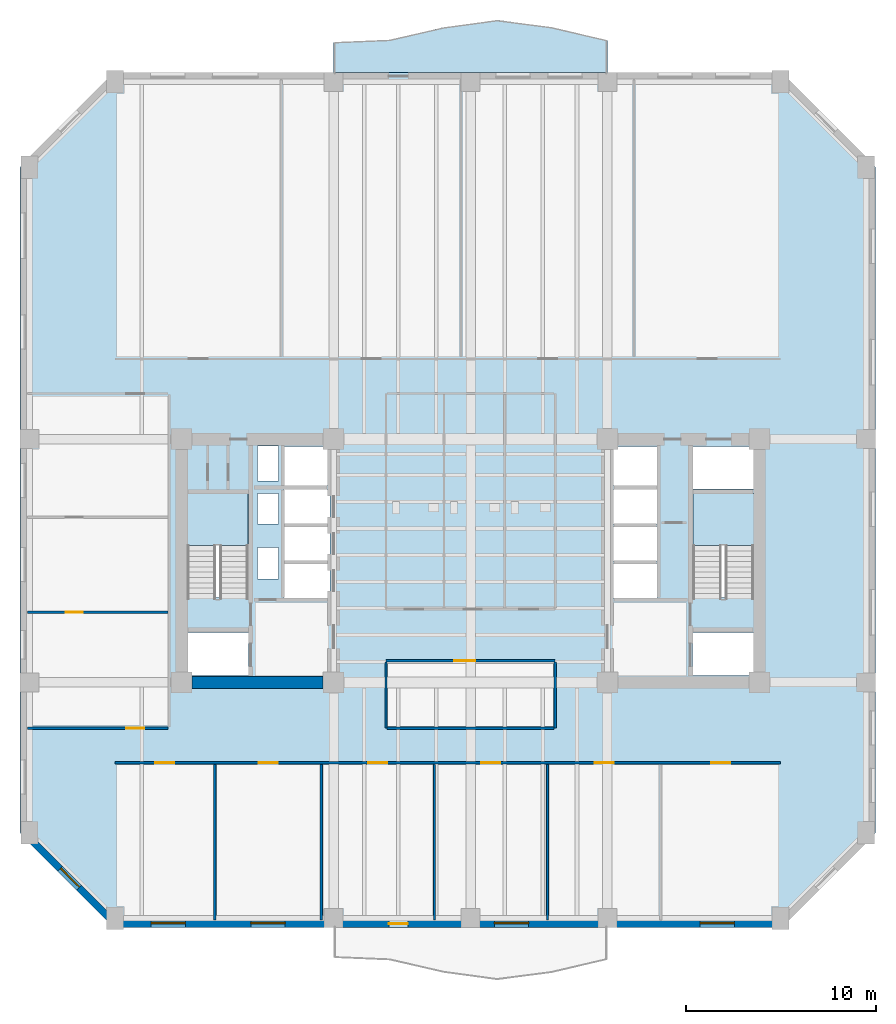
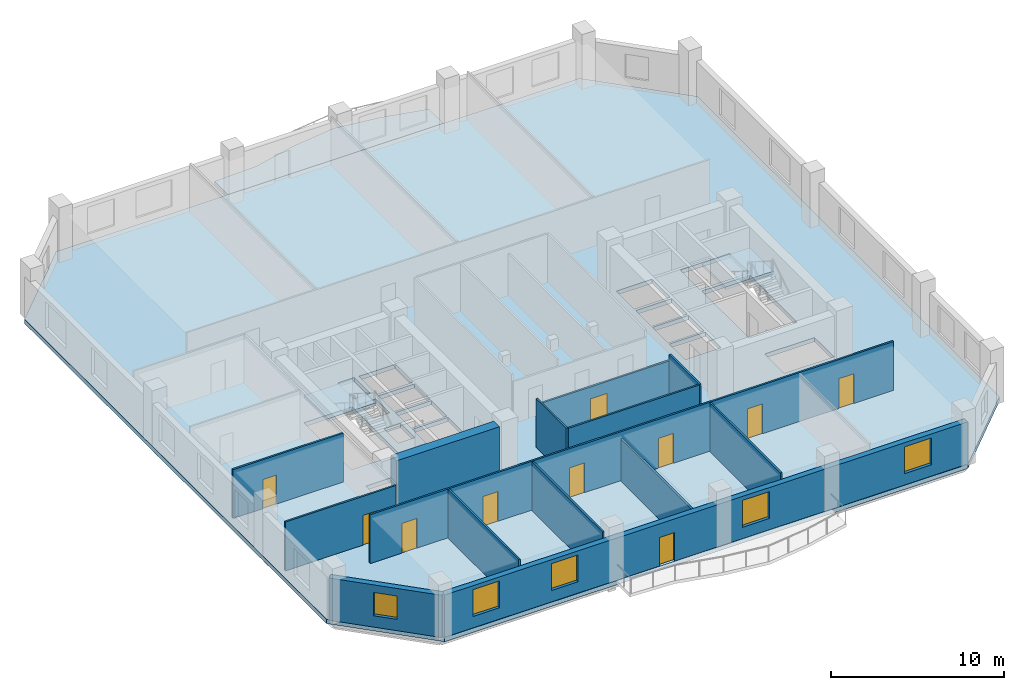
# One storey, part 2 of 10: 14 walls, 10 doors, 5 windows, 4 slabs, 15 openings, 2 elements without a shape of their own.
"""IFC4 building model written with IfcOpenShell, lengths in metres."""

import ifcopenshell
import ifcopenshell.guid

model = None  # the IFC model being written
_history = None  # IfcOwnerHistory: only IFC2X3 demands one
_inside = {}  # id of a spatial element -> (the spatial element, [elements in it])
_under = {}  # id of a project, library or spatial element -> (it, [spatial elements below it])
_declared = {}  # id of a project -> (the project, [libraries it declares])
_typed = {}  # id of a type object -> (the type object, [elements of that type])
_made_of = {}  # id of a material, layer set ... -> (it, [elements and type objects made of it])


def new_model(schema):
    """Start an empty IFC model of exactly this schema.

    Asked for "IFC4X3", IfcOpenShell would pick the latest addendum, in which some entities
    have other attributes; the version numbers below select the first issue.
    IFC2X3 requires an IfcOwnerHistory on every rooted entity: one is made here for all.
    """
    global model, _history
    if schema == "IFC4X3":
        model = ifcopenshell.file(schema_version=(4, 3, 0, 0))
    else:
        model = ifcopenshell.file(schema=schema)
    _inside.clear()
    _under.clear()
    _declared.clear()
    _typed.clear()
    _made_of.clear()
    _history = None
    if model.schema == "IFC2X3":
        org = make("IfcOrganization", Name="unknown")
        user = make(
            "IfcPersonAndOrganization",
            ThePerson=make("IfcPerson", FamilyName="unknown"),
            TheOrganization=org,
        )
        app = make(
            "IfcApplication",
            ApplicationDeveloper=org,
            Version="unknown",
            ApplicationFullName="unknown",
            ApplicationIdentifier="unknown",
        )
        _history = make(
            "IfcOwnerHistory",
            OwningUser=user,
            OwningApplication=app,
            ChangeAction="ADDED",
            CreationDate=0,
        )
    return model


def make(cls, **values):
    """One entity of the class cls with the attributes given. An attribute that is None is left unset."""
    return model.create_entity(
        cls, **{name: value for name, value in values.items() if value is not None}
    )


def rooted(cls, **values):
    """An entity with a GlobalId (a new one), such as an element, a storey or a relation."""
    return make(cls, GlobalId=ifcopenshell.guid.new(), OwnerHistory=_history, **values)


def si_unit(unit_type, name, prefix=None):
    """IfcSIUnit, for example si_unit("LENGTHUNIT", "METRE", prefix="MILLI")."""
    return make("IfcSIUnit", UnitType=unit_type, Prefix=prefix, Name=name)


def assignment(units):
    """IfcUnitAssignment: the units of a project."""
    return None if units is None else make("IfcUnitAssignment", Units=units)


def point(xyz):
    """IfcCartesianPoint."""
    return None if xyz is None else make("IfcCartesianPoint", Coordinates=xyz)


def direction(xyz):
    """IfcDirection."""
    return None if xyz is None else make("IfcDirection", DirectionRatios=xyz)


def frame(location, z_axis=None, x_axis=None):
    """IfcAxis2Placement3D, a coordinate frame: its origin and axes. An axis left out is left unset."""
    return make(
        "IfcAxis2Placement3D",
        Location=point(location),
        Axis=direction(z_axis),
        RefDirection=direction(x_axis),
    )


def frame_2d(location, x_axis=None):
    """IfcAxis2Placement2D, a coordinate frame in the plane: its origin and x axis."""
    return make(
        "IfcAxis2Placement2D", Location=point(location), RefDirection=direction(x_axis)
    )


def origin():
    """The frame at (0, 0, 0) with its axes left unset."""
    return frame((0.0, 0.0, 0.0))


def place(relative_to, where):
    """IfcLocalPlacement: puts the frame where relative to a parent placement (None: the world)."""
    return make(
        "IfcLocalPlacement", PlacementRelTo=relative_to, RelativePlacement=where
    )


def context(
    kind, dimensions, precision=None, world=None, true_north=None, identifier=None
):
    """IfcGeometricRepresentationContext, for example the 3D "Model" context."""
    return make(
        "IfcGeometricRepresentationContext",
        ContextIdentifier=identifier,
        ContextType=kind,
        CoordinateSpaceDimension=dimensions,
        Precision=precision,
        WorldCoordinateSystem=world,
        TrueNorth=true_north,
    )


def subcontext(parent, identifier, kind, view, scale=None):
    """IfcGeometricRepresentationSubContext, for example "Body" below "Model"."""
    return make(
        "IfcGeometricRepresentationSubContext",
        ContextIdentifier=identifier,
        ContextType=kind,
        ParentContext=parent,
        TargetScale=scale,
        TargetView=view,
    )


def project(units=None, contexts=None):
    """IfcProject with its units and contexts."""
    return rooted(
        "IfcProject",
        Name="project",
        RepresentationContexts=contexts,
        UnitsInContext=assignment(units),
    )


def spatial(cls, under=None, at=None, **own):
    """A site, building, storey or space (cls), placed at a placement, below another one or the project."""
    s = rooted(cls, ObjectPlacement=at, **own)
    if under is not None:
        _under.setdefault(under.id(), (under, []))[1].append(s)
    return s


def polyline(points):
    """IfcPolyline through the points."""
    return make("IfcPolyline", Points=[point(p) for p in points])


def profile(cls, at=None, kind="AREA", **sizes):
    """A parametric profile (cls). Its sizes go by their IFC names, for example OverallWidth=200.0."""
    return make(cls, ProfileType=kind, Position=at, **sizes)


def rectangle(**sizes):
    """IfcRectangleProfileDef."""
    return profile("IfcRectangleProfileDef", **sizes)


def outline(outer, holes=None, kind="AREA"):
    """IfcArbitraryClosedProfileDef: a profile drawn as a closed curve; with holes, ...WithVoids."""
    if holes is None:
        return make("IfcArbitraryClosedProfileDef", ProfileType=kind, OuterCurve=outer)
    return make(
        "IfcArbitraryProfileDefWithVoids",
        ProfileType=kind,
        OuterCurve=outer,
        InnerCurves=holes,
    )


def extrude(swept, where, along, depth):
    """IfcExtrudedAreaSolid: the profile swept, set in the frame where, extruded along a direction by depth."""
    return make(
        "IfcExtrudedAreaSolid",
        SweptArea=swept,
        Position=where,
        ExtrudedDirection=direction(along),
        Depth=depth,
    )


def shape(context_of_items, identifier, shape_type, items):
    """IfcShapeRepresentation: the items that make up one representation, for example the "Body"."""
    return make(
        "IfcShapeRepresentation",
        ContextOfItems=context_of_items,
        RepresentationIdentifier=identifier,
        RepresentationType=shape_type,
        Items=items,
    )


def material(Name=None, Category=None):
    """IfcMaterial."""
    return make("IfcMaterial", Name=Name, Category=Category)


def layer(
    of_material, thickness, ventilated=None, Name=None, Category=None, Priority=None
):
    """IfcMaterialLayer: one layer of a wall or slab, of a material (None: an air gap)."""
    return make(
        "IfcMaterialLayer",
        Material=of_material,
        LayerThickness=thickness,
        IsVentilated=ventilated,
        Name=Name,
        Category=Category,
        Priority=Priority,
    )


def layer_set(layers, Name=None):
    """IfcMaterialLayerSet."""
    return make("IfcMaterialLayerSet", MaterialLayers=layers, LayerSetName=Name)


def made_of(thing, what):
    """Note that an element or type object is made of a material, layer set ...; save() writes the relation."""
    if what is not None:
        _made_of.setdefault(what.id(), (what, []))[1].append(thing)
    return thing


def type_object(cls, material=None, **own):
    """A type object (cls), such as IfcWallType, which elements share."""
    return made_of(rooted(cls, **own), material)


def element(
    cls,
    number,
    at=None,
    inside=None,
    cuts=None,
    type_object=None,
    material=None,
    context=None,
    identifier="Body",
    shape_type=None,
    held_by="IfcProductDefinitionShape",
    body=None,
    shapes=None,
    **own,
):
    """One element of the class cls, such as IfcWall. Its Tag is "e" and its number.

    at: its placement. inside: the storey or other place that contains it. cuts: it is an
    opening in that element (IfcRelVoidsElement). A single representation is given by context,
    identifier, shape_type and body (its items); several are given by shapes. held_by: the class
    of the entity that holds the representations. save() writes the other relations.
    """
    e = rooted(cls, Tag="e%d" % number, ObjectPlacement=at, **own)
    if body is not None:
        shapes = [shape(context, identifier, shape_type, body)]
    if shapes is not None:
        e.Representation = make(held_by, Representations=shapes)
    if inside is not None:
        _inside.setdefault(inside.id(), (inside, []))[1].append(e)
    if cuts is not None:
        rooted(
            "IfcRelVoidsElement", RelatingBuildingElement=cuts, RelatedOpeningElement=e
        )
    if type_object is not None:
        _typed.setdefault(type_object.id(), (type_object, []))[1].append(e)
    return made_of(e, material)


def fill(opening, filler):
    """IfcRelFillsElement: the door or window that sits in an opening."""
    return rooted(
        "IfcRelFillsElement",
        RelatingOpeningElement=opening,
        RelatedBuildingElement=filler,
    )


def aggregate(whole, parts):
    """IfcRelAggregates: a whole, such as a stair, and the parts it consists of."""
    return rooted("IfcRelAggregates", RelatingObject=whole, RelatedObjects=parts)


def save(model, path):
    """Write the relations noted so far, then the file.

    IfcRelAggregates (storeys below a building ...), IfcRelContainedInSpatialStructure (elements
    in a storey), IfcRelDefinesByType, IfcRelAssociatesMaterial and IfcRelDeclares: one each for
    every whole, place, type object, material and project.
    """
    for whole, parts in _under.values():
        aggregate(whole, parts)
    for where, things in _inside.values():
        rooted(
            "IfcRelContainedInSpatialStructure",
            RelatedElements=things,
            RelatingStructure=where,
        )
    for kind, things in _typed.values():
        rooted("IfcRelDefinesByType", RelatedObjects=things, RelatingType=kind)
    for what, things in _made_of.values():
        rooted("IfcRelAssociatesMaterial", RelatedObjects=things, RelatingMaterial=what)
    for by, libraries in _declared.values():
        rooted("IfcRelDeclares", RelatingContext=by, RelatedDefinitions=libraries)
    model.write(path)


model = new_model("IFC4")

# Units and contexts
model_context = context("Model", 3, precision=1e-05, world=origin(), true_north=direction((0.0, 1.0)))
body_context = subcontext(model_context, "Body", "Model", "MODEL_VIEW")
ifc_project = project(units=[si_unit("LENGTHUNIT", "METRE"), si_unit("AREAUNIT", "SQUARE_METRE"), si_unit("VOLUMEUNIT", "CUBIC_METRE"), si_unit("PLANEANGLEUNIT", "RADIAN"), si_unit("MASSUNIT", "GRAM", prefix="KILO")], contexts=[model_context])

# Site, building, storey
site_placement = place(None, origin())
site = spatial("IfcSite", under=ifc_project, at=site_placement, CompositionType="ELEMENT")
building_placement = place(site_placement, origin())
building = spatial("IfcBuilding", under=site, at=building_placement, Name="Kranthara Brick Stack", CompositionType="ELEMENT")
storey_placement = place(building_placement, frame((0.0, 0.0, 106.199951171875)))
storey = spatial("IfcBuildingStorey", under=building, at=storey_placement, Name="L26", CompositionType="ELEMENT", Elevation=106.199951171875)

# Slab
ifc_material_1 = material(Name="Concrete C45/55", Category="concrete")
ifc_layer_1 = layer(ifc_material_1, 0.219970703125)
ifc_layer_set_1 = layer_set([ifc_layer_1], Name="Concrete C45/55")
slab_type_1 = type_object("IfcSlabType", Name="SLB-BALC-220", PredefinedType="FLOOR", material=ifc_layer_set_1)
slab_1_placement = place(storey_placement, frame((0.0, 0.0, -0.219970703125)))
element("IfcSlab", 1, at=slab_1_placement, inside=storey, type_object=slab_type_1, Name="L26 North Rippling Balcony Slab", PredefinedType="FLOOR", context=body_context, shape_type="SweptSolid", body=[
    extrude(outline(polyline([(35.199951171875, 52.89990234375), (20.800048828125, 52.89990234375), (20.800048828125, 54.4541015625), (23.679931640625, 54.576904296875), (26.56005859375, 55.263427734375), (29.43994140625, 55.64990234375), (32.320068359375, 55.25048828125), (35.199951171875, 54.567626953125), (35.199951171875, 52.89990234375)])), origin(), (0.0, 0.0, 1.0), 0.219970703125),
])

# Stair, slab
ifc_material_2 = material(Name="Concrete C45/55", Category="concrete")
stair_type = type_object("IfcStairType", Name="ST-CORE-22R", PredefinedType="HALF_TURN_STAIR", material=ifc_material_2)
stair_1_placement = place(storey_placement, origin())
stair_1 = element("IfcStair", 2, at=stair_1_placement, inside=storey, type_object=stair_type, Name="L26 West Core Protected Exit Stair ST01", PredefinedType="HALF_TURN_STAIR")
ifc_material_3 = material(Name="Concrete C45/55", Category="concrete")
ifc_layer_2 = layer(ifc_material_3, 0.199951171875)
ifc_layer_set_2 = layer_set([ifc_layer_2], Name="Concrete C45/55")
slab_type_2 = type_object("IfcSlabType", Name="SLB-LANDING-200", PredefinedType="LANDING", material=ifc_layer_set_2)
slab_2_placement = place(storey_placement, frame((0.0, 0.0, 1.75)))
slab_2 = element("IfcSlab", 3, at=slab_2_placement, type_object=slab_type_2, Name="ST01 landing 1", PredefinedType="LANDING", context=body_context, shape_type="SweptSolid", body=[
    extrude(outline(polyline([(16.300048828125, 28.0), (16.300048828125, 30.75), (13.10009765625, 30.75), (13.10009765625, 28.0), (16.300048828125, 28.0)])), origin(), (0.0, 0.0, 1.0), 0.199951171875),
])
aggregate(stair_1, [slab_2])

stair_2_placement = place(storey_placement, origin())
stair_2 = element("IfcStair", 4, at=stair_2_placement, inside=storey, type_object=stair_type, Name="L26 East Core Protected Exit Stair ST02", PredefinedType="HALF_TURN_STAIR")
slab_3_placement = place(storey_placement, frame((0.0, 0.0, 1.75)))
slab_3 = element("IfcSlab", 5, at=slab_3_placement, type_object=slab_type_2, Name="ST02 landing 1", PredefinedType="LANDING", context=body_context, shape_type="SweptSolid", body=[
    extrude(outline(polyline([(42.89990234375, 28.0), (42.89990234375, 30.75), (39.699951171875, 30.75), (39.699951171875, 28.0), (42.89990234375, 28.0)])), origin(), (0.0, 0.0, 1.0), 0.199951171875),
])
aggregate(stair_2, [slab_3])

# Slab
ifc_material_4 = material(Name="Post-tensioned concrete C45/55", Category="concrete")
ifc_layer_3 = layer(ifc_material_4, 0.300048828125)
ifc_layer_set_3 = layer_set([ifc_layer_3], Name="Post-tensioned concrete C45/55")
slab_type_3 = type_object("IfcSlabType", Name="SLB-TWR-300", PredefinedType="FLOOR", material=ifc_layer_set_3)
slab_4_placement = place(storey_placement, frame((0.0, 0.0, -0.300048828125)))
element("IfcSlab", 6, at=slab_4_placement, inside=storey, type_object=slab_type_3, Name="L26 Structural Floor Plate", PredefinedType="FLOOR", context=body_context, shape_type="SweptSolid", body=[
    extrude(outline(polyline([(9.300048828125, 7.89990234375), (44.300048828125, 7.89990234375), (49.300048828125, 12.89990234375), (49.300048828125, 47.89990234375), (44.300048828125, 52.89990234375), (9.300048828125, 52.89990234375), (4.300048828125, 47.89990234375), (4.300048828125, 12.89990234375), (9.300048828125, 7.89990234375)]), holes=[polyline([(13.10009765625, 25.280029296875), (16.300048828125, 25.280029296875), (16.300048828125, 30.75), (13.10009765625, 30.75), (13.10009765625, 25.280029296875)]), polyline([(39.699951171875, 25.280029296875), (42.89990234375, 25.280029296875), (42.89990234375, 30.75), (39.699951171875, 30.75), (39.699951171875, 25.280029296875)]), polyline([(13.0, 21.179931640625), (16.320068359375, 21.179931640625), (16.320068359375, 23.419921875), (13.0, 23.419921875), (13.0, 21.179931640625)]), polyline([(39.679931640625, 21.179931640625), (43.0, 21.179931640625), (43.0, 23.419921875), (39.679931640625, 23.419921875), (39.679931640625, 21.179931640625)]), polyline([(39.679931640625, 30.97998046875), (43.0, 30.97998046875), (43.0, 33.219970703125), (39.679931640625, 33.219970703125), (39.679931640625, 30.97998046875)]), polyline([(18.199951171875, 25.25), (20.60009765625, 25.25), (20.60009765625, 27.050048828125), (18.199951171875, 27.050048828125), (18.199951171875, 25.25)]), polyline([(18.199951171875, 27.199951171875), (20.60009765625, 27.199951171875), (20.60009765625, 29.0), (18.199951171875, 29.0), (18.199951171875, 27.199951171875)]), polyline([(18.199951171875, 29.14990234375), (20.60009765625, 29.14990234375), (20.60009765625, 30.949951171875), (18.199951171875, 30.949951171875), (18.199951171875, 29.14990234375)]), polyline([(35.39990234375, 25.25), (37.800048828125, 25.25), (37.800048828125, 27.050048828125), (35.39990234375, 27.050048828125), (35.39990234375, 25.25)]), polyline([(35.39990234375, 27.199951171875), (37.800048828125, 27.199951171875), (37.800048828125, 29.0), (35.39990234375, 29.0), (35.39990234375, 27.199951171875)]), polyline([(35.39990234375, 29.14990234375), (37.800048828125, 29.14990234375), (37.800048828125, 30.949951171875), (35.39990234375, 30.949951171875), (35.39990234375, 29.14990234375)]), polyline([(18.199951171875, 31.14990234375), (20.60009765625, 31.14990234375), (20.60009765625, 33.219970703125), (18.199951171875, 33.219970703125), (18.199951171875, 31.14990234375)]), polyline([(35.39990234375, 31.14990234375), (37.800048828125, 31.14990234375), (37.800048828125, 33.219970703125), (35.39990234375, 33.219970703125), (35.39990234375, 31.14990234375)]), polyline([(16.800048828125, 26.25), (17.89990234375, 26.25), (17.89990234375, 27.89990234375), (16.800048828125, 27.89990234375), (16.800048828125, 26.25)]), polyline([(16.800048828125, 29.14990234375), (17.89990234375, 29.14990234375), (17.89990234375, 30.75), (16.800048828125, 30.75), (16.800048828125, 29.14990234375)]), polyline([(16.800048828125, 31.39990234375), (17.89990234375, 31.39990234375), (17.89990234375, 33.25), (16.800048828125, 33.25), (16.800048828125, 31.39990234375)])]), origin(), (0.0, 0.0, 1.0), 0.300048828125),
])

# Wall, openings, door, windows
ifc_material_5 = material(Name="Kiln-fired clay brick masonry M15", Category="masonry")
ifc_layer_4 = layer(ifc_material_5, 0.3798828125)
ifc_layer_set_4 = layer_set([ifc_layer_4], Name="Kiln-fired clay brick masonry M15")
wall_type_1 = type_object("IfcWallType", Name="WL-BRK-PIER-380", PredefinedType="STANDARD", material=ifc_layer_set_4)
wall_1_placement = place(storey_placement, frame((44.300048828125, 8.110107421875, 0.0), z_axis=(0.0, 0.0, 1.0), x_axis=(-1.0, 0.0, 0.0)))
wall_1 = element("IfcWall", 7, at=wall_1_placement, inside=storey, type_object=wall_type_1, Name="L26 Exterior Brick Facade Wall SOUTH 1", PredefinedType="STANDARD", context=body_context, shape_type="SweptSolid", body=[
    extrude(rectangle(XDim=35.0, YDim=0.3798828125, at=frame_2d((17.5, 0.0))), origin(), (0.0, 0.0, 1.0), 2.985107421875),
])
opening_1_placement = place(wall_1_placement, frame((19.60009765625, 0.0, 0.0)))
opening_1 = element("IfcOpeningElement", 8, at=opening_1_placement, cuts=wall_1, Name="Opening D03", PredefinedType="OPENING", context=body_context, shape_type="SweptSolid", body=[
    extrude(rectangle(XDim=1.0, YDim=2.02001953125, at=frame_2d((0.5, 1.010009765625))), frame((0.0, 0.199951171875, 0.0), z_axis=(0.0, -1.0, 0.0), x_axis=(1.0, 0.0, 0.0)), (0.0, 0.0, 1.0), 0.39990234375),
])
opening_2_placement = place(wall_1_placement, frame((2.425048828125, 0.0, 0.800048828125)))
opening_2 = element("IfcOpeningElement", 9, at=opening_2_placement, cuts=wall_1, Name="Opening WN01", PredefinedType="OPENING", context=body_context, shape_type="SweptSolid", body=[
    extrude(rectangle(XDim=1.800048828125, YDim=1.89990234375, at=frame_2d((0.89990234375, 0.949951171875))), frame((0.0, 0.199951171875, 0.0), z_axis=(0.0, -1.0, 0.0), x_axis=(1.0, 0.0, 0.0)), (0.0, 0.0, 1.0), 0.39990234375),
])
opening_3_placement = place(wall_1_placement, frame((13.25, 0.0, 0.800048828125)))
opening_3 = element("IfcOpeningElement", 10, at=opening_3_placement, cuts=wall_1, Name="Opening WN01", PredefinedType="OPENING", context=body_context, shape_type="SweptSolid", body=[
    extrude(rectangle(XDim=1.800048828125, YDim=1.89990234375, at=frame_2d((0.89990234375, 0.949951171875))), frame((0.0, 0.199951171875, 0.0), z_axis=(0.0, -1.0, 0.0), x_axis=(1.0, 0.0, 0.0)), (0.0, 0.0, 1.0), 0.39990234375),
])
opening_4_placement = place(wall_1_placement, frame((26.050048828125, 0.0, 0.800048828125)))
opening_4 = element("IfcOpeningElement", 11, at=opening_4_placement, cuts=wall_1, Name="Opening WN01", PredefinedType="OPENING", context=body_context, shape_type="SweptSolid", body=[
    extrude(rectangle(XDim=1.800048828125, YDim=1.89990234375, at=frame_2d((0.89990234375, 0.949951171875))), frame((0.0, 0.199951171875, 0.0), z_axis=(0.0, -1.0, 0.0), x_axis=(1.0, 0.0, 0.0)), (0.0, 0.0, 1.0), 0.39990234375),
])
opening_5_placement = place(wall_1_placement, frame((31.300048828125, 0.0, 0.800048828125)))
opening_5 = element("IfcOpeningElement", 12, at=opening_5_placement, cuts=wall_1, Name="Opening WN01", PredefinedType="OPENING", context=body_context, shape_type="SweptSolid", body=[
    extrude(rectangle(XDim=1.800048828125, YDim=1.89990234375, at=frame_2d((0.89990234375, 0.949951171875))), frame((0.0, 0.199951171875, 0.0), z_axis=(0.0, -1.0, 0.0), x_axis=(1.0, 0.0, 0.0)), (0.0, 0.0, 1.0), 0.39990234375),
])
ifc_material_6 = material(Name="Bronze anodised aluminium and laminated glass", Category="aluminium")
door_type_1 = type_object("IfcDoorType", Name="DR-BALC-1000", OperationType="NOTDEFINED", PredefinedType="DOOR", material=ifc_material_6)
door_1_placement = place(opening_1_placement, origin())
door_1 = element("IfcDoor", 13, at=door_1_placement, inside=storey, type_object=door_type_1, Name="L26 South Balcony Terrace Door", OperationType="SINGLE_SWING_LEFT", OverallHeight=2.02001953125, OverallWidth=1.0, PredefinedType="DOOR", context=body_context, shape_type="SweptSolid", body=[
    extrude(rectangle(XDim=1.0, YDim=2.02001953125, at=frame_2d((0.5, 1.010009765625))), frame((0.0, 0.02490234375, 0.0), z_axis=(0.0, -1.0, 0.0), x_axis=(1.0, 0.0, 0.0)), (0.0, 0.0, 1.0), 0.050048828125),
])
fill(opening_1, door_1)
ifc_material_7 = material(Name="Double-glazed low-E solar control glass", Category="glass")
window_type_1 = type_object("IfcWindowType", Name="WN-OFF-1800x2000", PartitioningType="SINGLE_PANEL", PredefinedType="WINDOW", material=ifc_material_7)
window_1_placement = place(opening_2_placement, origin())
window_1 = element("IfcWindow", 14, at=window_1_placement, inside=storey, type_object=window_type_1, Name="L26 South Deep-Set Brick Window 01", OverallHeight=1.89990234375, OverallWidth=1.800048828125, PartitioningType="SINGLE_PANEL", PredefinedType="WINDOW", context=body_context, shape_type="SweptSolid", body=[
    extrude(rectangle(XDim=1.800048828125, YDim=1.89990234375, at=frame_2d((0.89990234375, 0.949951171875))), frame((0.0, -0.010009765625, 0.0), z_axis=(0.0, -1.0, 0.0), x_axis=(1.0, 0.0, 0.0)), (0.0, 0.0, 1.0), 0.06005859375),
])
fill(opening_2, window_1)
window_2_placement = place(opening_3_placement, origin())
window_2 = element("IfcWindow", 15, at=window_2_placement, inside=storey, type_object=window_type_1, Name="L26 South Deep-Set Brick Window 02", OverallHeight=1.89990234375, OverallWidth=1.800048828125, PartitioningType="SINGLE_PANEL", PredefinedType="WINDOW", context=body_context, shape_type="SweptSolid", body=[
    extrude(rectangle(XDim=1.800048828125, YDim=1.89990234375, at=frame_2d((0.89990234375, 0.949951171875))), frame((0.0, -0.010009765625, 0.0), z_axis=(0.0, -1.0, 0.0), x_axis=(1.0, 0.0, 0.0)), (0.0, 0.0, 1.0), 0.06005859375),
])
fill(opening_3, window_2)
window_3_placement = place(opening_4_placement, origin())
window_3 = element("IfcWindow", 16, at=window_3_placement, inside=storey, type_object=window_type_1, Name="L26 South Deep-Set Brick Window 03", OverallHeight=1.89990234375, OverallWidth=1.800048828125, PartitioningType="SINGLE_PANEL", PredefinedType="WINDOW", context=body_context, shape_type="SweptSolid", body=[
    extrude(rectangle(XDim=1.800048828125, YDim=1.89990234375, at=frame_2d((0.89990234375, 0.949951171875))), frame((0.0, -0.010009765625, 0.0), z_axis=(0.0, -1.0, 0.0), x_axis=(1.0, 0.0, 0.0)), (0.0, 0.0, 1.0), 0.06005859375),
])
fill(opening_4, window_3)
window_4_placement = place(opening_5_placement, origin())
window_4 = element("IfcWindow", 17, at=window_4_placement, inside=storey, type_object=window_type_1, Name="L26 South Deep-Set Brick Window 04", OverallHeight=1.89990234375, OverallWidth=1.800048828125, PartitioningType="SINGLE_PANEL", PredefinedType="WINDOW", context=body_context, shape_type="SweptSolid", body=[
    extrude(rectangle(XDim=1.800048828125, YDim=1.89990234375, at=frame_2d((0.89990234375, 0.949951171875))), frame((0.0, -0.010009765625, 0.0), z_axis=(0.0, -1.0, 0.0), x_axis=(1.0, 0.0, 0.0)), (0.0, 0.0, 1.0), 0.06005859375),
])
fill(opening_5, window_4)

# Wall, opening, window
wall_2_placement = place(storey_placement, frame((9.300048828125, 8.110107421875, 0.0), z_axis=(0.0, 0.0, 1.0), x_axis=(-0.707124801467, 0.707088760447, 0.0)))
wall_2 = element("IfcWall", 18, at=wall_2_placement, inside=storey, type_object=wall_type_1, Name="L26 Exterior Brick Facade Wall SW 1", PredefinedType="STANDARD", context=body_context, shape_type="SweptSolid", body=[
    extrude(rectangle(XDim=6.77392578125, YDim=0.3798828125, at=frame_2d((3.386962890625, 0.0))), origin(), (0.0, 0.0, 1.0), 2.985107421875),
])
opening_6_placement = place(wall_2_placement, frame((2.68701171875, 0.0, 0.800048828125)))
opening_6 = element("IfcOpeningElement", 19, at=opening_6_placement, cuts=wall_2, Name="Opening WN10", PredefinedType="OPENING", context=body_context, shape_type="SweptSolid", body=[
    extrude(rectangle(XDim=1.39990234375, YDim=1.64990234375, at=frame_2d((0.699951171875, 0.824951171875))), frame((0.0, 0.199951171875, 0.0), z_axis=(0.0, -1.0, 0.0), x_axis=(1.0, 0.0, 0.0)), (0.0, 0.0, 1.0), 0.39990234375),
])
ifc_material_8 = material(Name="Double-glazed low-E solar control glass", Category="glass")
window_type_2 = type_object("IfcWindowType", Name="WN-CHM-1400x1750", PartitioningType="SINGLE_PANEL", PredefinedType="WINDOW", material=ifc_material_8)
window_5_placement = place(opening_6_placement, origin())
window_5 = element("IfcWindow", 20, at=window_5_placement, inside=storey, type_object=window_type_2, Name="L26 SW Chamfer Corner Window", OverallHeight=1.64990234375, OverallWidth=1.39990234375, PartitioningType="SINGLE_PANEL", PredefinedType="WINDOW", context=body_context, shape_type="SweptSolid", body=[
    extrude(rectangle(XDim=1.39990234375, YDim=1.64990234375, at=frame_2d((0.699951171875, 0.824951171875))), frame((0.0, -0.010009765625, 0.0), z_axis=(0.0, -1.0, 0.0), x_axis=(1.0, 0.0, 0.0)), (0.0, 0.0, 1.0), 0.06005859375),
])
fill(opening_6, window_5)

# Wall
ifc_material_9 = material(Name="Concrete C60/75", Category="concrete")
ifc_layer_5 = layer(ifc_material_9, 0.64990234375)
ifc_layer_set_5 = layer_set([ifc_layer_5], Name="Concrete C60/75")
wall_type_2 = type_object("IfcWallType", Name="WL-CORE-650", PredefinedType="SHEAR", material=ifc_layer_set_5)
wall_3_placement = place(storey_placement, frame((13.35498046875, 20.800048828125, 0.0), z_axis=(0.0, 0.0, 1.0), x_axis=(1.0, 0.0, 0.0)))
element("IfcWall", 21, at=wall_3_placement, inside=storey, type_object=wall_type_2, Name="L26 West Core Shear Wall South", PredefinedType="SHEAR", context=body_context, shape_type="SweptSolid", body=[
    extrude(rectangle(XDim=6.89013671875, YDim=0.64990234375, at=frame_2d((3.445068359375, 0.0))), origin(), (0.0, 0.0, 1.0), 3.449951171875),
])

# Wall, opening, door
ifc_material_10 = material(Name="Acoustic gypsum plasterboard partition", Category="other")
ifc_layer_6 = layer(ifc_material_10, 0.1201171875)
ifc_layer_set_6 = layer_set([ifc_layer_6], Name="Acoustic gypsum plasterboard partition")
wall_type_3 = type_object("IfcWallType", Name="WL-PART-120", PredefinedType="PARTITIONING", material=ifc_layer_set_6)
wall_4_placement = place(storey_placement, frame((23.550048828125, 21.949951171875, 0.0), z_axis=(0.0, 0.0, 1.0), x_axis=(1.0, 0.0, 0.0)))
wall_4 = element("IfcWall", 22, at=wall_4_placement, inside=storey, type_object=wall_type_3, Name="L26 Interior Partition 010", PredefinedType="PARTITIONING", context=body_context, shape_type="SweptSolid", body=[
    extrude(rectangle(XDim=8.89990234375, YDim=0.1201171875, at=frame_2d((4.449951171875, 0.0))), origin(), (0.0, 0.0, 1.0), 2.985107421875),
])
opening_7_placement = place(wall_4_placement, frame((3.60009765625, 0.0, 0.0)))
opening_7 = element("IfcOpeningElement", 23, at=opening_7_placement, cuts=wall_4, Name="Opening D11", PredefinedType="OPENING", context=body_context, shape_type="SweptSolid", body=[
    extrude(rectangle(XDim=1.10009765625, YDim=2.14990234375, at=frame_2d((0.550048828125, 1.074951171875))), frame((0.0, 0.070068359375, 0.0), z_axis=(0.0, -1.0, 0.0), x_axis=(1.0, 0.0, 0.0)), (0.0, 0.0, 1.0), 0.14013671875),
])
ifc_material_11 = material(Name="Solid-core hardwood timber leaf in steel frame", Category="steel")
door_type_2 = type_object("IfcDoorType", Name="DR-INT-1100", OperationType="NOTDEFINED", PredefinedType="DOOR", material=ifc_material_11)
door_2_placement = place(opening_7_placement, origin())
door_2 = element("IfcDoor", 24, at=door_2_placement, inside=storey, type_object=door_type_2, Name="L26 Internal Briefing Room 07", OperationType="SINGLE_SWING_LEFT", OverallHeight=2.14990234375, OverallWidth=1.10009765625, PredefinedType="DOOR", context=body_context, shape_type="SweptSolid", body=[
    extrude(rectangle(XDim=1.10009765625, YDim=2.14990234375, at=frame_2d((0.550048828125, 1.074951171875))), frame((0.0, 0.02490234375, 0.0), z_axis=(0.0, -1.0, 0.0), x_axis=(1.0, 0.0, 0.0)), (0.0, 0.0, 1.0), 0.050048828125),
])
fill(opening_7, door_2)

# Walls
for number, where, z_axis, x_axis, name in (
    (25, (23.550048828125, 18.39990234375, 0.0), (0.0, 0.0, 1.0), (0.0, 1.0, 0.0), "L26 Interior Partition 011"),
    (26, (32.449951171875, 18.39990234375, 0.0), (0.0, 0.0, 1.0), (0.0, 1.0, 0.0), "L26 Interior Partition 012"),
):
    element("IfcWall", number, at=place(storey_placement, frame(where, z_axis=z_axis, x_axis=x_axis)), inside=storey, type_object=wall_type_3, Name=name, PredefinedType="PARTITIONING", context=body_context, shape_type="SweptSolid", body=[
        extrude(rectangle(XDim=3.485107421875, YDim=0.1201171875, at=frame_2d((1.74267578125, 0.0))), origin(), (0.0, 0.0, 1.0), 3.449951171875),
    ])
wall_5_placement = place(storey_placement, frame((23.614990234375, 18.39990234375, 0.0), z_axis=(0.0, 0.0, 1.0), x_axis=(1.0, 0.0, 0.0)))
element("IfcWall", 27, at=wall_5_placement, inside=storey, type_object=wall_type_3, Name="L26 Interior Partition 013", PredefinedType="PARTITIONING", context=body_context, shape_type="SweptSolid", body=[
    extrude(rectangle(XDim=8.77001953125, YDim=0.1201171875, at=frame_2d((4.385009765625, 0.0))), origin(), (0.0, 0.0, 1.0), 3.449951171875),
])

# Wall, openings, doors
wall_6_placement = place(storey_placement, frame((9.300048828125, 16.580078125, 0.0), z_axis=(0.0, 0.0, 1.0), x_axis=(1.0, 0.0, 0.0)))
wall_6 = element("IfcWall", 28, at=wall_6_placement, inside=storey, type_object=wall_type_3, Name="L26 Interior Partition 014", PredefinedType="PARTITIONING", context=body_context, shape_type="SweptSolid", body=[
    extrude(rectangle(XDim=35.0, YDim=0.1201171875, at=frame_2d((17.5, 0.0))), origin(), (0.0, 0.0, 1.0), 3.449951171875),
])
opening_8_placement = place(wall_6_placement, frame((2.125, 0.0, 0.0)))
opening_8 = element("IfcOpeningElement", 29, at=opening_8_placement, cuts=wall_6, Name="Opening D13", PredefinedType="OPENING", context=body_context, shape_type="SweptSolid", body=[
    extrude(rectangle(XDim=1.0, YDim=2.10009765625, at=frame_2d((0.5, 1.050048828125))), frame((0.0, 0.070068359375, 0.0), z_axis=(0.0, -1.0, 0.0), x_axis=(1.0, 0.0, 0.0)), (0.0, 0.0, 1.0), 0.14013671875),
])
opening_9_placement = place(wall_6_placement, frame((7.550048828125, 0.0, 0.0)))
opening_9 = element("IfcOpeningElement", 30, at=opening_9_placement, cuts=wall_6, Name="Opening D13", PredefinedType="OPENING", context=body_context, shape_type="SweptSolid", body=[
    extrude(rectangle(XDim=1.0, YDim=2.10009765625, at=frame_2d((0.5, 1.050048828125))), frame((0.0, 0.070068359375, 0.0), z_axis=(0.0, -1.0, 0.0), x_axis=(1.0, 0.0, 0.0)), (0.0, 0.0, 1.0), 0.14013671875),
])
opening_10_placement = place(wall_6_placement, frame((13.324951171875, 0.0, 0.0)))
opening_10 = element("IfcOpeningElement", 31, at=opening_10_placement, cuts=wall_6, Name="Opening D13", PredefinedType="OPENING", context=body_context, shape_type="SweptSolid", body=[
    extrude(rectangle(XDim=1.0, YDim=2.10009765625, at=frame_2d((0.5, 1.050048828125))), frame((0.0, 0.070068359375, 0.0), z_axis=(0.0, -1.0, 0.0), x_axis=(1.0, 0.0, 0.0)), (0.0, 0.0, 1.0), 0.14013671875),
])
opening_11_placement = place(wall_6_placement, frame((19.27490234375, 0.0, 0.0)))
opening_11 = element("IfcOpeningElement", 32, at=opening_11_placement, cuts=wall_6, Name="Opening D13", PredefinedType="OPENING", context=body_context, shape_type="SweptSolid", body=[
    extrude(rectangle(XDim=1.0, YDim=2.10009765625, at=frame_2d((0.5, 1.050048828125))), frame((0.0, 0.070068359375, 0.0), z_axis=(0.0, -1.0, 0.0), x_axis=(1.0, 0.0, 0.0)), (0.0, 0.0, 1.0), 0.14013671875),
])
opening_12_placement = place(wall_6_placement, frame((25.22509765625, 0.0, 0.0)))
opening_12 = element("IfcOpeningElement", 33, at=opening_12_placement, cuts=wall_6, Name="Opening D13", PredefinedType="OPENING", context=body_context, shape_type="SweptSolid", body=[
    extrude(rectangle(XDim=1.0, YDim=2.10009765625, at=frame_2d((0.5, 1.050048828125))), frame((0.0, 0.070068359375, 0.0), z_axis=(0.0, -1.0, 0.0), x_axis=(1.0, 0.0, 0.0)), (0.0, 0.0, 1.0), 0.14013671875),
])
opening_13_placement = place(wall_6_placement, frame((31.35009765625, 0.0, 0.0)))
opening_13 = element("IfcOpeningElement", 34, at=opening_13_placement, cuts=wall_6, Name="Opening D13", PredefinedType="OPENING", context=body_context, shape_type="SweptSolid", body=[
    extrude(rectangle(XDim=1.0, YDim=2.10009765625, at=frame_2d((0.5, 1.050048828125))), frame((0.0, 0.070068359375, 0.0), z_axis=(0.0, -1.0, 0.0), x_axis=(1.0, 0.0, 0.0)), (0.0, 0.0, 1.0), 0.14013671875),
])
ifc_material_12 = material(Name="Solid-core hardwood timber leaf in steel frame", Category="steel")
door_type_3 = type_object("IfcDoorType", Name="DR-INT-1000", OperationType="NOTDEFINED", PredefinedType="DOOR", material=ifc_material_12)
door_3_placement = place(opening_8_placement, origin())
door_3 = element("IfcDoor", 35, at=door_3_placement, inside=storey, type_object=door_type_3, Name="L26 Executive Cellular Office 08", OperationType="SINGLE_SWING_RIGHT", OverallHeight=2.10009765625, OverallWidth=1.0, PredefinedType="DOOR", context=body_context, shape_type="SweptSolid", body=[
    extrude(rectangle(XDim=1.0, YDim=2.10009765625, at=frame_2d((0.5, 1.050048828125))), frame((0.0, 0.02490234375, 0.0), z_axis=(0.0, -1.0, 0.0), x_axis=(1.0, 0.0, 0.0)), (0.0, 0.0, 1.0), 0.050048828125),
])
fill(opening_8, door_3)
door_4_placement = place(opening_9_placement, origin())
door_4 = element("IfcDoor", 36, at=door_4_placement, inside=storey, type_object=door_type_3, Name="L26 Executive Cellular Office 09", OperationType="SINGLE_SWING_LEFT", OverallHeight=2.10009765625, OverallWidth=1.0, PredefinedType="DOOR", context=body_context, shape_type="SweptSolid", body=[
    extrude(rectangle(XDim=1.0, YDim=2.10009765625, at=frame_2d((0.5, 1.050048828125))), frame((0.0, 0.02490234375, 0.0), z_axis=(0.0, -1.0, 0.0), x_axis=(1.0, 0.0, 0.0)), (0.0, 0.0, 1.0), 0.050048828125),
])
fill(opening_9, door_4)
door_5_placement = place(opening_10_placement, origin())
door_5 = element("IfcDoor", 37, at=door_5_placement, inside=storey, type_object=door_type_3, Name="L26 Executive Cellular Office 10", OperationType="SINGLE_SWING_RIGHT", OverallHeight=2.10009765625, OverallWidth=1.0, PredefinedType="DOOR", context=body_context, shape_type="SweptSolid", body=[
    extrude(rectangle(XDim=1.0, YDim=2.10009765625, at=frame_2d((0.5, 1.050048828125))), frame((0.0, 0.02490234375, 0.0), z_axis=(0.0, -1.0, 0.0), x_axis=(1.0, 0.0, 0.0)), (0.0, 0.0, 1.0), 0.050048828125),
])
fill(opening_10, door_5)
door_6_placement = place(opening_11_placement, origin())
door_6 = element("IfcDoor", 38, at=door_6_placement, inside=storey, type_object=door_type_3, Name="L26 Executive Cellular Office 11", OperationType="SINGLE_SWING_LEFT", OverallHeight=2.10009765625, OverallWidth=1.0, PredefinedType="DOOR", context=body_context, shape_type="SweptSolid", body=[
    extrude(rectangle(XDim=1.0, YDim=2.10009765625, at=frame_2d((0.5, 1.050048828125))), frame((0.0, 0.02490234375, 0.0), z_axis=(0.0, -1.0, 0.0), x_axis=(1.0, 0.0, 0.0)), (0.0, 0.0, 1.0), 0.050048828125),
])
fill(opening_11, door_6)
door_7_placement = place(opening_12_placement, origin())
door_7 = element("IfcDoor", 39, at=door_7_placement, inside=storey, type_object=door_type_3, Name="L26 Meeting Room 12", OperationType="SINGLE_SWING_RIGHT", OverallHeight=2.10009765625, OverallWidth=1.0, PredefinedType="DOOR", context=body_context, shape_type="SweptSolid", body=[
    extrude(rectangle(XDim=1.0, YDim=2.10009765625, at=frame_2d((0.5, 1.050048828125))), frame((0.0, 0.02490234375, 0.0), z_axis=(0.0, -1.0, 0.0), x_axis=(1.0, 0.0, 0.0)), (0.0, 0.0, 1.0), 0.050048828125),
])
fill(opening_12, door_7)
door_8_placement = place(opening_13_placement, origin())
door_8 = element("IfcDoor", 40, at=door_8_placement, inside=storey, type_object=door_type_3, Name="L26 Staff Pantry 13", OperationType="SINGLE_SWING_LEFT", OverallHeight=2.10009765625, OverallWidth=1.0, PredefinedType="DOOR", context=body_context, shape_type="SweptSolid", body=[
    extrude(rectangle(XDim=1.0, YDim=2.10009765625, at=frame_2d((0.5, 1.050048828125))), frame((0.0, 0.02490234375, 0.0), z_axis=(0.0, -1.0, 0.0), x_axis=(1.0, 0.0, 0.0)), (0.0, 0.0, 1.0), 0.050048828125),
])
fill(opening_13, door_8)

# Walls
for number, where, z_axis, x_axis, name in (
    (41, (14.550048828125, 8.304931640625, 0.0), (0.0, 0.0, 1.0), (0.0, 1.0, 0.0), "L26 Interior Partition 015"),
    (42, (20.14990234375, 8.304931640625, 0.0), (0.0, 0.0, 1.0), (0.0, 1.0, 0.0), "L26 Interior Partition 016"),
):
    element("IfcWall", number, at=place(storey_placement, frame(where, z_axis=z_axis, x_axis=x_axis)), inside=storey, type_object=wall_type_3, Name=name, PredefinedType="PARTITIONING", context=body_context, shape_type="SweptSolid", body=[
        extrude(rectangle(XDim=8.175048828125, YDim=0.1201171875, at=frame_2d((4.08740234375, 0.0))), origin(), (0.0, 0.0, 1.0), 3.449951171875),
    ])
wall_7_placement = place(storey_placement, frame((26.10009765625, 8.304931640625, 0.0), z_axis=(0.0, 0.0, 1.0), x_axis=(0.0, 1.0, 0.0)))
element("IfcWall", 43, at=wall_7_placement, inside=storey, type_object=wall_type_3, Name="L26 Interior Partition 017", PredefinedType="PARTITIONING", context=body_context, shape_type="SweptSolid", body=[
    extrude(rectangle(XDim=8.175048828125, YDim=0.1201171875, at=frame_2d((4.08740234375, 0.0))), origin(), (0.0, 0.0, 1.0), 2.985107421875),
])
wall_8_placement = place(storey_placement, frame((32.050048828125, 8.304931640625, 0.0), z_axis=(0.0, 0.0, 1.0), x_axis=(0.0, 1.0, 0.0)))
element("IfcWall", 44, at=wall_8_placement, inside=storey, type_object=wall_type_3, Name="L26 Interior Partition 018", PredefinedType="PARTITIONING", context=body_context, shape_type="SweptSolid", body=[
    extrude(rectangle(XDim=8.175048828125, YDim=0.1201171875, at=frame_2d((4.08740234375, 0.0))), origin(), (0.0, 0.0, 1.0), 3.449951171875),
])

# Wall, opening, door
wall_9_placement = place(storey_placement, frame((4.705078125, 18.39990234375, 0.0), z_axis=(0.0, 0.0, 1.0), x_axis=(1.0, 0.0, 0.0)))
wall_9 = element("IfcWall", 45, at=wall_9_placement, inside=storey, type_object=wall_type_3, Name="L26 Interior Partition 025", PredefinedType="PARTITIONING", context=body_context, shape_type="SweptSolid", body=[
    extrude(rectangle(XDim=7.3798828125, YDim=0.1201171875, at=frame_2d((3.68994140625, 0.0))), origin(), (0.0, 0.0, 1.0), 3.449951171875),
])
opening_14_placement = place(wall_9_placement, frame((5.179931640625, 0.0, 0.0)))
opening_14 = element("IfcOpeningElement", 46, at=opening_14_placement, cuts=wall_9, Name="Opening D14", PredefinedType="OPENING", context=body_context, shape_type="SweptSolid", body=[
    extrude(rectangle(XDim=0.949951171875, YDim=2.10009765625, at=frame_2d((0.47509765625, 1.050048828125))), frame((0.0, 0.070068359375, 0.0), z_axis=(0.0, -1.0, 0.0), x_axis=(1.0, 0.0, 0.0)), (0.0, 0.0, 1.0), 0.14013671875),
])
ifc_material_13 = material(Name="Solid-core hardwood timber leaf in steel frame", Category="steel")
door_type_4 = type_object("IfcDoorType", Name="DR-INT-950", OperationType="NOTDEFINED", PredefinedType="DOOR", material=ifc_material_13)
door_9_placement = place(opening_14_placement, origin())
door_9 = element("IfcDoor", 47, at=door_9_placement, inside=storey, type_object=door_type_4, Name="L26 West South Office 20", OperationType="SINGLE_SWING_RIGHT", OverallHeight=2.10009765625, OverallWidth=0.949951171875, PredefinedType="DOOR", context=body_context, shape_type="SweptSolid", body=[
    extrude(rectangle(XDim=0.949951171875, YDim=2.10009765625, at=frame_2d((0.47509765625, 1.050048828125))), frame((0.0, 0.02490234375, 0.0), z_axis=(0.0, -1.0, 0.0), x_axis=(1.0, 0.0, 0.0)), (0.0, 0.0, 1.0), 0.050048828125),
])
fill(opening_14, door_9)

wall_10_placement = place(storey_placement, frame((4.705078125, 24.5, 0.0), z_axis=(0.0, 0.0, 1.0), x_axis=(1.0, 0.0, 0.0)))
wall_10 = element("IfcWall", 48, at=wall_10_placement, inside=storey, type_object=wall_type_3, Name="L26 Interior Partition 027", PredefinedType="PARTITIONING", context=body_context, shape_type="SweptSolid", body=[
    extrude(rectangle(XDim=7.3798828125, YDim=0.1201171875, at=frame_2d((3.68994140625, 0.0))), origin(), (0.0, 0.0, 1.0), 3.449951171875),
])
opening_15_placement = place(wall_10_placement, frame((2.0, 0.0, 0.0)))
opening_15 = element("IfcOpeningElement", 49, at=opening_15_placement, cuts=wall_10, Name="Opening D15", PredefinedType="OPENING", context=body_context, shape_type="SweptSolid", body=[
    extrude(rectangle(XDim=0.89990234375, YDim=2.050048828125, at=frame_2d((0.449951171875, 1.02490234375))), frame((0.0, 0.070068359375, 0.0), z_axis=(0.0, -1.0, 0.0), x_axis=(1.0, 0.0, 0.0)), (0.0, 0.0, 1.0), 0.14013671875),
])
ifc_material_14 = material(Name="Solid-core hardwood timber leaf in steel frame", Category="steel")
door_type_5 = type_object("IfcDoorType", Name="DR-INT-900", OperationType="NOTDEFINED", PredefinedType="DOOR", material=ifc_material_14)
door_10_placement = place(opening_15_placement, origin())
door_10 = element("IfcDoor", 50, at=door_10_placement, inside=storey, type_object=door_type_5, Name="L26 West Inner Suite Door 18", OperationType="SINGLE_SWING_RIGHT", OverallHeight=2.050048828125, OverallWidth=0.89990234375, PredefinedType="DOOR", context=body_context, shape_type="SweptSolid", body=[
    extrude(rectangle(XDim=0.89990234375, YDim=2.050048828125, at=frame_2d((0.449951171875, 1.02490234375))), frame((0.0, 0.02490234375, 0.0), z_axis=(0.0, -1.0, 0.0), x_axis=(1.0, 0.0, 0.0)), (0.0, 0.0, 1.0), 0.050048828125),
])
fill(opening_15, door_10)

save(model, "model.ifc")
